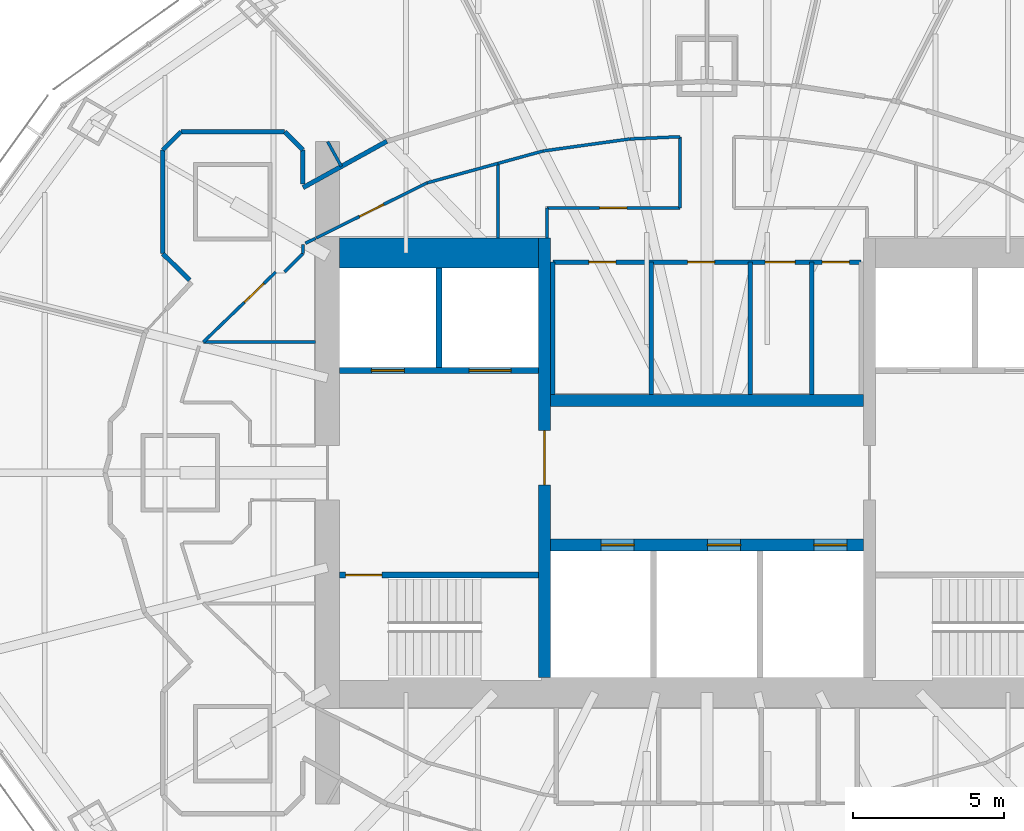
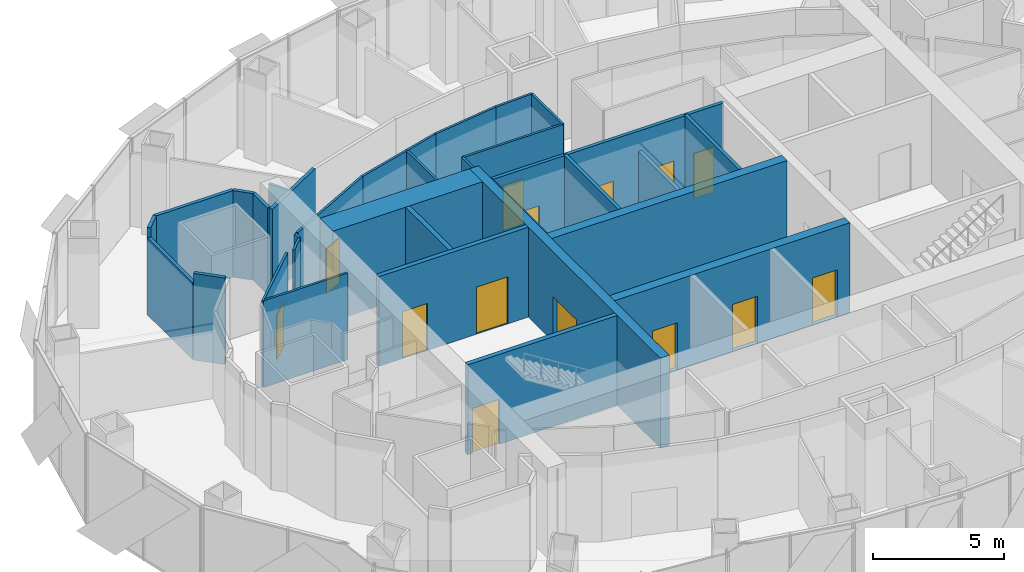
# One storey, part 13 of 19: 34 walls, 14 doors, 14 openings.
"""IFC4 building model written with IfcOpenShell, lengths in metres."""

from ifc_helpers import new_model, si_unit, direction, frame, frame_2d, origin, place, context, subcontext, project, spatial, rectangle, extrude, material, layer, layer_set, type_object, element, fill, save


model = new_model("IFC4")

# Units and contexts
model_context = context("Model", 3, precision=1e-05, world=origin(), true_north=direction((0.0, 1.0)))
body_context = subcontext(model_context, "Body", "Model", "MODEL_VIEW")
ifc_project = project(units=[si_unit("LENGTHUNIT", "METRE"), si_unit("AREAUNIT", "SQUARE_METRE"), si_unit("VOLUMEUNIT", "CUBIC_METRE"), si_unit("PLANEANGLEUNIT", "RADIAN"), si_unit("MASSUNIT", "GRAM", prefix="KILO")], contexts=[model_context])

# Site, building, storey
site_placement = place(None, origin())
site = spatial("IfcSite", under=ifc_project, at=site_placement, CompositionType="ELEMENT")
building_placement = place(site_placement, origin())
building = spatial("IfcBuilding", under=site, at=building_placement, Name="Lantaw Convention Tower", CompositionType="ELEMENT")
storey_placement = place(building_placement, frame((0.0, 0.0, 249.39990234375)))
storey = spatial("IfcBuildingStorey", under=building, at=storey_placement, Name="L58", CompositionType="ELEMENT", Elevation=249.39990234375)

# Wall
ifc_material_1 = material(Name="Concrete C60/75", Category="concrete")
ifc_layer_1 = layer(ifc_material_1, 1.0)
ifc_layer_set_1 = layer_set([ifc_layer_1], Name="Core wall 1000")
wall_type_1 = type_object("IfcWallType", Name="Core wall 1000", PredefinedType="SHEAR", material=ifc_layer_set_1)
wall_1_placement = place(storey_placement, frame((-5.60009765625, 7.300048828125, 0.0), z_axis=(0.0, 0.0, 1.0), x_axis=(-1.0, 0.0, 0.0)))
element("IfcWall", 1, at=wall_1_placement, inside=storey, type_object=wall_type_1, Name="Core wall NW", PredefinedType="SHEAR", context=body_context, shape_type="SweptSolid", body=[
    extrude(rectangle(XDim=6.599853515625, YDim=1.0, at=frame_2d((3.2998046875, 0.0))), origin(), (0.0, 0.0, 1.0), 4.2001953125),
])

# Wall, opening, door
ifc_layer_2 = layer(ifc_material_1, 0.199951171875)
ifc_layer_set_2 = layer_set([ifc_layer_2], Name="Core wall 200")
wall_type_2 = type_object("IfcWallType", Name="Core wall 200", PredefinedType="SHEAR", material=ifc_layer_set_2)
wall_2_placement = place(storey_placement, frame((-5.60009765625, -3.39990234375, 0.0), z_axis=(0.0, 0.0, 1.0), x_axis=(-1.0, 0.0, 0.0)))
wall_2 = element("IfcWall", 2, at=wall_2_placement, inside=storey, type_object=wall_type_2, Name="Core wall WS", PredefinedType="SHEAR", context=body_context, shape_type="SweptSolid", body=[
    extrude(rectangle(XDim=6.599853515625, YDim=0.199951171875, at=frame_2d((3.2998046875, 0.0))), origin(), (0.0, 0.0, 1.0), 4.2001953125),
])
opening_1_placement = place(wall_2_placement, frame((5.199951171875, 0.0, 0.0)))
opening_1 = element("IfcOpeningElement", 3, at=opening_1_placement, cuts=wall_2, Name="Opening L58.04", PredefinedType="OPENING", context=body_context, shape_type="SweptSolid", body=[
    extrude(rectangle(XDim=1.199951171875, YDim=2.10009765625, at=frame_2d((0.60009765625, 1.050048828125))), frame((0.0, 0.10986328125, 0.0), z_axis=(0.0, -1.0, 0.0), x_axis=(1.0, 0.0, 0.0)), (0.0, 0.0, 1.0), 0.219970703125),
])
ifc_material_2 = material(Name="Steel, fire rated", Category="steel")
door_type_1 = type_object("IfcDoorType", Name="Stair door FD90", OperationType="SINGLE_SWING_RIGHT", PredefinedType="DOOR", material=ifc_material_2)
door_1_placement = place(opening_1_placement, origin())
door_1 = element("IfcDoor", 4, at=door_1_placement, inside=storey, type_object=door_type_1, Name="Exit stair door", OperationType="SINGLE_SWING_RIGHT", OverallHeight=2.10009765625, OverallWidth=1.199951171875, PredefinedType="DOOR", context=body_context, shape_type="SweptSolid", body=[
    extrude(rectangle(XDim=1.199951171875, YDim=2.10009765625, at=frame_2d((0.60009765625, 1.050048828125))), frame((0.0, 0.02490234375, 0.0), z_axis=(0.0, -1.0, 0.0), x_axis=(1.0, 0.0, 0.0)), (0.0, 0.0, 1.0), 0.050048828125),
])
fill(opening_1, door_1)

ifc_layer_3 = layer(ifc_material_1, 0.39990234375)
ifc_layer_set_3 = layer_set([ifc_layer_3], Name="Core wall 400")
wall_type_3 = type_object("IfcWallType", Name="Core wall 400", PredefinedType="SHEAR", material=ifc_layer_set_3)
wall_3_placement = place(storey_placement, frame((-5.39990234375, 7.800048828125, 0.0), z_axis=(0.0, 0.0, 1.0), x_axis=(0.0, -1.0, 0.0)))
wall_3 = element("IfcWall", 5, at=wall_3_placement, inside=storey, type_object=wall_type_3, Name="Core wall XW", PredefinedType="SHEAR", context=body_context, shape_type="SweptSolid", body=[
    extrude(rectangle(XDim=14.60009765625, YDim=0.39990234375, at=frame_2d((7.300048828125, 0.0))), origin(), (0.0, 0.0, 1.0), 4.2001953125),
])
opening_2_placement = place(wall_3_placement, frame((6.39990234375, 0.0, 0.0)))
opening_2 = element("IfcOpeningElement", 6, at=opening_2_placement, cuts=wall_3, Name="Opening L58.02", PredefinedType="OPENING", context=body_context, shape_type="SweptSolid", body=[
    extrude(rectangle(XDim=1.800048828125, YDim=2.10009765625, at=frame_2d((0.89990234375, 1.050048828125))), frame((0.0, 0.2099609375, 0.0), z_axis=(0.0, -1.0, 0.0), x_axis=(1.0, 0.0, 0.0)), (0.0, 0.0, 1.0), 0.419921875),
])
door_type_2 = type_object("IfcDoorType", Name="Lobby double door FD90", OperationType="DOUBLE_DOOR_DOUBLE_SWING", PredefinedType="DOOR", material=ifc_material_2)
door_2_placement = place(opening_2_placement, origin())
door_2 = element("IfcDoor", 7, at=door_2_placement, inside=storey, type_object=door_type_2, Name="Lift lobby door", OperationType="DOUBLE_DOOR_DOUBLE_SWING", OverallHeight=2.10009765625, OverallWidth=1.800048828125, PredefinedType="DOOR", context=body_context, shape_type="SweptSolid", body=[
    extrude(rectangle(XDim=1.800048828125, YDim=2.10009765625, at=frame_2d((0.89990234375, 1.050048828125))), frame((0.0, 0.02490234375, 0.0), z_axis=(0.0, -1.0, 0.0), x_axis=(1.0, 0.0, 0.0)), (0.0, 0.0, 1.0), 0.050048828125),
])
fill(opening_2, door_2)

# Wall, openings, doors
wall_4_placement = place(storey_placement, frame((-5.199951171875, -2.39990234375, 0.0), z_axis=(0.0, 0.0, 1.0), x_axis=(1.0, 0.0, 0.0)))
wall_4 = element("IfcWall", 8, at=wall_4_placement, inside=storey, type_object=wall_type_3, Name="Core wall BS", PredefinedType="SHEAR", context=body_context, shape_type="SweptSolid", body=[
    extrude(rectangle(XDim=10.39990234375, YDim=0.39990234375, at=frame_2d((5.199951171875, 0.0))), origin(), (0.0, 0.0, 1.0), 4.2001953125),
])
opening_3_placement = place(wall_4_placement, frame((1.683349609375, 0.0, 0.0)))
opening_3 = element("IfcOpeningElement", 9, at=opening_3_placement, cuts=wall_4, Name="Opening L58.07", PredefinedType="OPENING", context=body_context, shape_type="SweptSolid", body=[
    extrude(rectangle(XDim=1.10009765625, YDim=2.199951171875, at=frame_2d((0.550048828125, 1.10009765625))), frame((0.0, 0.2099609375, 0.0), z_axis=(0.0, -1.0, 0.0), x_axis=(1.0, 0.0, 0.0)), (0.0, 0.0, 1.0), 0.419921875),
])
opening_4_placement = place(wall_4_placement, frame((5.216796875, 0.0, 0.0)))
opening_4 = element("IfcOpeningElement", 10, at=opening_4_placement, cuts=wall_4, Name="Opening L58.08", PredefinedType="OPENING", context=body_context, shape_type="SweptSolid", body=[
    extrude(rectangle(XDim=1.10009765625, YDim=2.199951171875, at=frame_2d((0.550048828125, 1.10009765625))), frame((0.0, 0.2099609375, 0.0), z_axis=(0.0, -1.0, 0.0), x_axis=(1.0, 0.0, 0.0)), (0.0, 0.0, 1.0), 0.419921875),
])
opening_5_placement = place(wall_4_placement, frame((8.75, 0.0, 0.0)))
opening_5 = element("IfcOpeningElement", 11, at=opening_5_placement, cuts=wall_4, Name="Opening L58.09", PredefinedType="OPENING", context=body_context, shape_type="SweptSolid", body=[
    extrude(rectangle(XDim=1.10009765625, YDim=2.199951171875, at=frame_2d((0.550048828125, 1.10009765625))), frame((0.0, 0.2099609375, 0.0), z_axis=(0.0, -1.0, 0.0), x_axis=(1.0, 0.0, 0.0)), (0.0, 0.0, 1.0), 0.419921875),
])
ifc_material_3 = material(Name="Stainless steel", Category="steel")
door_type_3 = type_object("IfcDoorType", Name="Lift landing door 1100", OperationType="DOUBLE_DOOR_SLIDING", PredefinedType="DOOR", material=ifc_material_3)
door_3_placement = place(opening_3_placement, origin())
door_3 = element("IfcDoor", 12, at=door_3_placement, inside=storey, type_object=door_type_3, Name="Lift landing door S1", OperationType="DOUBLE_DOOR_SLIDING", OverallHeight=2.199951171875, OverallWidth=1.10009765625, PredefinedType="DOOR", context=body_context, shape_type="SweptSolid", body=[
    extrude(rectangle(XDim=1.10009765625, YDim=2.199951171875, at=frame_2d((0.550048828125, 1.10009765625))), frame((0.0, 0.02490234375, 0.0), z_axis=(0.0, -1.0, 0.0), x_axis=(1.0, 0.0, 0.0)), (0.0, 0.0, 1.0), 0.050048828125),
])
fill(opening_3, door_3)
door_4_placement = place(opening_4_placement, origin())
door_4 = element("IfcDoor", 13, at=door_4_placement, inside=storey, type_object=door_type_3, Name="Lift landing door S2", OperationType="DOUBLE_DOOR_SLIDING", OverallHeight=2.199951171875, OverallWidth=1.10009765625, PredefinedType="DOOR", context=body_context, shape_type="SweptSolid", body=[
    extrude(rectangle(XDim=1.10009765625, YDim=2.199951171875, at=frame_2d((0.550048828125, 1.10009765625))), frame((0.0, 0.02490234375, 0.0), z_axis=(0.0, -1.0, 0.0), x_axis=(1.0, 0.0, 0.0)), (0.0, 0.0, 1.0), 0.050048828125),
])
fill(opening_4, door_4)
door_5_placement = place(opening_5_placement, origin())
door_5 = element("IfcDoor", 14, at=door_5_placement, inside=storey, type_object=door_type_3, Name="Lift landing door S3", OperationType="DOUBLE_DOOR_SLIDING", OverallHeight=2.199951171875, OverallWidth=1.10009765625, PredefinedType="DOOR", context=body_context, shape_type="SweptSolid", body=[
    extrude(rectangle(XDim=1.10009765625, YDim=2.199951171875, at=frame_2d((0.550048828125, 1.10009765625))), frame((0.0, 0.02490234375, 0.0), z_axis=(0.0, -1.0, 0.0), x_axis=(1.0, 0.0, 0.0)), (0.0, 0.0, 1.0), 0.050048828125),
])
fill(opening_5, door_5)

# Walls
wall_5_placement = place(storey_placement, frame((5.199951171875, 2.39990234375, 0.0), z_axis=(0.0, 0.0, 1.0), x_axis=(-1.0, 0.0, 0.0)))
element("IfcWall", 15, at=wall_5_placement, inside=storey, type_object=wall_type_3, Name="Core wall BN", PredefinedType="SHEAR", context=body_context, shape_type="SweptSolid", body=[
    extrude(rectangle(XDim=10.39990234375, YDim=0.39990234375, at=frame_2d((5.199951171875, 0.0))), origin(), (0.0, 0.0, 1.0), 4.2001953125),
])
ifc_material_4 = material(Name="Gypsum board on steel studs, fire rated", Category="steel")
ifc_layer_4 = layer(ifc_material_4, 0.14990234375)
ifc_layer_set_4 = layer_set([ifc_layer_4], Name="Corridor wall 150 EI 60")
wall_type_4 = type_object("IfcWallType", Name="Corridor wall 150 EI 60", PredefinedType="PARTITIONING", material=ifc_layer_set_4)
wall_6_placement = place(storey_placement, frame((-10.6328125, 11.010498046875, 0.0), z_axis=(0.0, 0.0, 1.0), x_axis=(-0.875072100837, -0.483992580869, 0.0)))
element("IfcWall", 16, at=wall_6_placement, inside=storey, type_object=wall_type_4, Name="Corridor wall 150", PredefinedType="PARTITIONING", context=body_context, shape_type="SweptSolid", body=[
    extrude(rectangle(XDim=3.179443359375, YDim=0.14990234375, at=frame_2d((1.58984375, 0.0))), origin(), (0.0, 0.0, 1.0), 4.050048828125),
])
wall_7_placement = place(storey_placement, frame((-17.1865234375, 6.40380859375, 0.0), z_axis=(0.0, 0.0, 1.0), x_axis=(-0.713842064016, 0.700306723973, 0.0)))
element("IfcWall", 17, at=wall_7_placement, inside=storey, type_object=wall_type_4, Name="Corridor wall 150", PredefinedType="PARTITIONING", context=body_context, shape_type="SweptSolid", body=[
    extrude(rectangle(XDim=1.24462890625, YDim=0.14990234375, at=frame_2d((0.622314453125, 0.0))), origin(), (0.0, 0.0, 1.0), 4.050048828125),
])
wall_8_placement = place(storey_placement, frame((-18.074951171875, 7.275390625, 0.0), z_axis=(0.0, 0.0, 1.0), x_axis=(0.0, 1.0, 0.0)))
element("IfcWall", 18, at=wall_8_placement, inside=storey, type_object=wall_type_4, Name="Corridor wall 150", PredefinedType="PARTITIONING", context=body_context, shape_type="SweptSolid", body=[
    extrude(rectangle(XDim=3.44921875, YDim=0.14990234375, at=frame_2d((1.724609375, 0.0))), origin(), (0.0, 0.0, 1.0), 3.6005859375),
])
wall_9_placement = place(storey_placement, frame((-18.074951171875, 10.724609375, 0.0), z_axis=(0.0, 0.0, 1.0), x_axis=(0.707106781187, 0.707106781187, 0.0)))
element("IfcWall", 19, at=wall_9_placement, inside=storey, type_object=wall_type_4, Name="Corridor wall 150", PredefinedType="PARTITIONING", context=body_context, shape_type="SweptSolid", body=[
    extrude(rectangle(XDim=0.84912109375, YDim=0.14990234375, at=frame_2d((0.424560546875, 0.0))), origin(), (0.0, 0.0, 1.0), 4.050048828125),
])
wall_10_placement = place(storey_placement, frame((-17.474609375, 11.324951171875, 0.0), z_axis=(0.0, 0.0, 1.0), x_axis=(1.0, 0.0, 0.0)))
element("IfcWall", 20, at=wall_10_placement, inside=storey, type_object=wall_type_4, Name="Corridor wall 150", PredefinedType="PARTITIONING", context=body_context, shape_type="SweptSolid", body=[
    extrude(rectangle(XDim=3.44921875, YDim=0.14990234375, at=frame_2d((1.724609375, 0.0))), origin(), (0.0, 0.0, 1.0), 4.050048828125),
])
wall_11_placement = place(storey_placement, frame((-14.025390625, 11.324951171875, 0.0), z_axis=(0.0, 0.0, 1.0), x_axis=(0.707106781187, -0.707106781187, 0.0)))
element("IfcWall", 21, at=wall_11_placement, inside=storey, type_object=wall_type_4, Name="Corridor wall 150", PredefinedType="PARTITIONING", context=body_context, shape_type="SweptSolid", body=[
    extrude(rectangle(XDim=0.84912109375, YDim=0.14990234375, at=frame_2d((0.424560546875, 0.0))), origin(), (0.0, 0.0, 1.0), 4.050048828125),
])
wall_12_placement = place(storey_placement, frame((-13.425048828125, 10.724609375, 0.0), z_axis=(0.0, 0.0, 1.0), x_axis=(0.0, -1.0, 0.0)))
element("IfcWall", 22, at=wall_12_placement, inside=storey, type_object=wall_type_4, Name="Corridor wall 150", PredefinedType="PARTITIONING", context=body_context, shape_type="SweptSolid", body=[
    extrude(rectangle(XDim=1.138427734375, YDim=0.14990234375, at=frame_2d((0.5693359375, 0.0))), origin(), (0.0, 0.0, 1.0), 4.050048828125),
])
ifc_material_5 = material(Name="Gypsum board on steel studs, acoustic", Category="steel")
ifc_layer_5 = layer(ifc_material_5, 0.10009765625)
ifc_layer_set_5 = layer_set([ifc_layer_5], Name="Office partition 100")
wall_type_5 = type_object("IfcWallType", Name="Office partition 100", PredefinedType="PARTITIONING", material=ifc_layer_set_5)
wall_13_placement = place(storey_placement, frame((-9.2978515625, 9.628173828125, 0.0), z_axis=(0.0, 0.0, 1.0), x_axis=(0.964255150805, 0.264975478385, 0.0)))
element("IfcWall", 23, at=wall_13_placement, inside=storey, type_object=wall_type_5, Name="Office partition 100", PredefinedType="PARTITIONING", context=body_context, shape_type="SweptSolid", body=[
    extrude(rectangle(XDim=2.4453125, YDim=0.10009765625, at=frame_2d((1.22265625, 0.0))), origin(), (0.0, 0.0, 1.0), 4.050048828125),
])
wall_14_placement = place(storey_placement, frame((-6.93994140625, 10.276123046875, 0.0), z_axis=(0.0, 0.0, 1.0), x_axis=(0.0, -1.0, 0.0)))
element("IfcWall", 24, at=wall_14_placement, inside=storey, type_object=wall_type_5, Name="Office partition 100", PredefinedType="PARTITIONING", context=body_context, shape_type="SweptSolid", body=[
    extrude(rectangle(XDim=2.47607421875, YDim=0.10009765625, at=frame_2d((1.238037109375, 0.0))), origin(), (0.0, 0.0, 1.0), 4.050048828125),
])

# Wall, opening, door
wall_15_placement = place(storey_placement, frame((-12.976806640625, 7.800048828125, 0.0), z_axis=(0.0, 0.0, 1.0), x_axis=(0.895529831139, 0.445001484874, 0.0)))
wall_15 = element("IfcWall", 25, at=wall_15_placement, inside=storey, type_object=wall_type_5, Name="Office partition 100", PredefinedType="PARTITIONING", context=body_context, shape_type="SweptSolid", body=[
    extrude(rectangle(XDim=4.108154296875, YDim=0.10009765625, at=frame_2d((2.05419921875, 0.0))), origin(), (0.0, 0.0, 1.0), 4.050048828125),
])
opening_6_placement = place(wall_15_placement, frame((1.60400390625, 0.0, 0.0)))
opening_6 = element("IfcOpeningElement", 26, at=opening_6_placement, cuts=wall_15, Name="Opening L58.32", PredefinedType="OPENING", context=body_context, shape_type="SweptSolid", body=[
    extrude(rectangle(XDim=0.89990234375, YDim=2.10009765625, at=frame_2d((0.449951171875, 1.050048828125))), frame((0.0, 0.06005859375, 0.0), z_axis=(0.0, -1.0, 0.0), x_axis=(1.0, 0.0, 0.0)), (0.0, 0.0, 1.0), 0.1201171875),
])
ifc_material_6 = material(Name="Timber", Category="wood")
door_type_4 = type_object("IfcDoorType", Name="Office door 900", OperationType="SINGLE_SWING_LEFT", PredefinedType="DOOR", material=ifc_material_6)
door_6_placement = place(opening_6_placement, origin())
door_6 = element("IfcDoor", 27, at=door_6_placement, inside=storey, type_object=door_type_4, Name="Tenant storage room door", OperationType="SINGLE_SWING_LEFT", OverallHeight=2.10009765625, OverallWidth=0.89990234375, PredefinedType="DOOR", context=body_context, shape_type="SweptSolid", body=[
    extrude(rectangle(XDim=0.89990234375, YDim=2.10009765625, at=frame_2d((0.449951171875, 1.050048828125))), frame((0.0, 0.02490234375, 0.0), z_axis=(0.0, -1.0, 0.0), x_axis=(1.0, 0.0, 0.0)), (0.0, 0.0, 1.0), 0.050048828125),
])
fill(opening_6, door_6)

# Walls
wall_16_placement = place(storey_placement, frame((-5.4453125, 10.68701171875, 0.0), z_axis=(0.0, 0.0, 1.0), x_axis=(0.99045099049, 0.137865280027, 0.0)))
element("IfcWall", 28, at=wall_16_placement, inside=storey, type_object=wall_type_5, Name="Office partition 100", PredefinedType="PARTITIONING", context=body_context, shape_type="SweptSolid", body=[
    extrude(rectangle(XDim=2.9130859375, YDim=0.10009765625, at=frame_2d((1.45654296875, 0.0))), origin(), (0.0, 0.0, 1.0), 4.050048828125),
])
wall_17_placement = place(storey_placement, frame((-2.56005859375, 11.088623046875, 0.0), z_axis=(0.0, 0.0, 1.0), x_axis=(0.999053939397, 0.043488230303, 0.0)))
element("IfcWall", 29, at=wall_17_placement, inside=storey, type_object=wall_type_5, Name="Office partition 100", PredefinedType="PARTITIONING", context=body_context, shape_type="SweptSolid", body=[
    extrude(rectangle(XDim=1.66162109375, YDim=0.10009765625, at=frame_2d((0.830810546875, 0.0))), origin(), (0.0, 0.0, 1.0), 4.050048828125),
])
wall_18_placement = place(storey_placement, frame((-0.89990234375, 11.160888671875, 0.0), z_axis=(0.0, 0.0, 1.0), x_axis=(0.0, -1.0, 0.0)))
element("IfcWall", 30, at=wall_18_placement, inside=storey, type_object=wall_type_5, Name="Office partition 100", PredefinedType="PARTITIONING", context=body_context, shape_type="SweptSolid", body=[
    extrude(rectangle(XDim=2.36083984375, YDim=0.10009765625, at=frame_2d((1.180419921875, 0.0))), origin(), (0.0, 0.0, 1.0), 4.050048828125),
])

# Wall, opening, door
wall_19_placement = place(storey_placement, frame((-0.89990234375, 8.800048828125, 0.0), z_axis=(0.0, 0.0, 1.0), x_axis=(-1.0, 0.0, 0.0)))
wall_19 = element("IfcWall", 31, at=wall_19_placement, inside=storey, type_object=wall_type_5, Name="Office partition 100", PredefinedType="PARTITIONING", context=body_context, shape_type="SweptSolid", body=[
    extrude(rectangle(XDim=4.420166015625, YDim=0.10009765625, at=frame_2d((2.2099609375, 0.0))), origin(), (0.0, 0.0, 1.0), 4.050048828125),
])
opening_7_placement = place(wall_19_placement, frame((1.760009765625, 0.0, 0.0)))
opening_7 = element("IfcOpeningElement", 32, at=opening_7_placement, cuts=wall_19, Name="Opening L58.33", PredefinedType="OPENING", context=body_context, shape_type="SweptSolid", body=[
    extrude(rectangle(XDim=0.89990234375, YDim=2.10009765625, at=frame_2d((0.449951171875, 1.050048828125))), frame((0.0, 0.06005859375, 0.0), z_axis=(0.0, -1.0, 0.0), x_axis=(1.0, 0.0, 0.0)), (0.0, 0.0, 1.0), 0.1201171875),
])
door_7_placement = place(opening_7_placement, origin())
door_7 = element("IfcDoor", 33, at=door_7_placement, inside=storey, type_object=door_type_4, Name="Meeting room door", OperationType="SINGLE_SWING_LEFT", OverallHeight=2.10009765625, OverallWidth=0.89990234375, PredefinedType="DOOR", context=body_context, shape_type="SweptSolid", body=[
    extrude(rectangle(XDim=0.89990234375, YDim=2.10009765625, at=frame_2d((0.449951171875, 1.050048828125))), frame((0.0, 0.02490234375, 0.0), z_axis=(0.0, -1.0, 0.0), x_axis=(1.0, 0.0, 0.0)), (0.0, 0.0, 1.0), 0.050048828125),
])
fill(opening_7, door_7)

# Walls
wall_20_placement = place(storey_placement, frame((-5.320068359375, 8.800048828125, 0.0), z_axis=(0.0, 0.0, 1.0), x_axis=(0.0, -1.0, 0.0)))
element("IfcWall", 34, at=wall_20_placement, inside=storey, type_object=wall_type_5, Name="Office partition 100", PredefinedType="PARTITIONING", context=body_context, shape_type="SweptSolid", body=[
    extrude(rectangle(XDim=1.0, YDim=0.10009765625, at=frame_2d((0.5, 0.0))), origin(), (0.0, 0.0, 1.0), 4.050048828125),
])
wall_21_placement = place(storey_placement, frame((-6.93994140625, 10.276123046875, 0.0), z_axis=(0.0, 0.0, 1.0), x_axis=(0.964227536736, 0.265075946476, 0.0)))
element("IfcWall", 35, at=wall_21_placement, inside=storey, type_object=wall_type_5, Name="Office partition 100", PredefinedType="PARTITIONING", context=body_context, shape_type="SweptSolid", body=[
    extrude(rectangle(XDim=1.550048828125, YDim=0.10009765625, at=frame_2d((0.77490234375, 0.0))), origin(), (0.0, 0.0, 1.0), 4.050048828125),
])
wall_22_placement = place(storey_placement, frame((-16.729248046875, 4.340087890625, 0.0), z_axis=(0.0, 0.0, 1.0), x_axis=(1.0, 0.0, 0.0)))
element("IfcWall", 36, at=wall_22_placement, inside=storey, type_object=wall_type_5, Name="Office partition 100", PredefinedType="PARTITIONING", context=body_context, shape_type="SweptSolid", body=[
    extrude(rectangle(XDim=3.729248046875, YDim=0.10009765625, at=frame_2d((1.86474609375, 0.0))), origin(), (0.0, 0.0, 1.0), 4.050048828125),
])
wall_23_placement = place(storey_placement, frame((-13.3369140625, 7.62109375, 0.0), z_axis=(0.0, 0.0, 1.0), x_axis=(0.895721570004, 0.444615416995, 0.0)))
element("IfcWall", 37, at=wall_23_placement, inside=storey, type_object=wall_type_5, Name="Office partition 100", PredefinedType="PARTITIONING", context=body_context, shape_type="SweptSolid", body=[
    extrude(rectangle(XDim=0.376220703125, YDim=0.10009765625, at=frame_2d((0.18798828125, 0.0))), origin(), (0.0, 0.0, 1.0), 4.050048828125),
])
wall_24_placement = place(storey_placement, frame((-12.60009765625, 11.0, 0.0), z_axis=(0.0, 0.0, 1.0), x_axis=(0.484103558985, -0.875010710893, 0.0)))
element("IfcWall", 38, at=wall_24_placement, inside=storey, type_object=wall_type_5, Name="Office partition 100", PredefinedType="PARTITIONING", context=body_context, shape_type="SweptSolid", body=[
    extrude(rectangle(XDim=0.943115234375, YDim=0.10009765625, at=frame_2d((0.4716796875, 0.0))), origin(), (0.0, 0.0, 1.0), 4.050048828125),
])

# Wall, opening, door
wall_25_placement = place(storey_placement, frame((-16.729248046875, 4.340087890625, 0.0), z_axis=(0.0, 0.0, 1.0), x_axis=(0.718798647558, 0.695218314107, 0.0)))
wall_25 = element("IfcWall", 39, at=wall_25_placement, inside=storey, type_object=wall_type_5, Name="Office partition 100", PredefinedType="PARTITIONING", context=body_context, shape_type="SweptSolid", body=[
    extrude(rectangle(XDim=3.34423828125, YDim=0.10009765625, at=frame_2d((1.672119140625, 0.0))), origin(), (0.0, 0.0, 1.0), 4.050048828125),
])
opening_8_placement = place(wall_25_placement, frame((1.89990234375, 0.0, 0.0)))
opening_8 = element("IfcOpeningElement", 40, at=opening_8_placement, cuts=wall_25, Name="Opening L58.35", PredefinedType="OPENING", context=body_context, shape_type="SweptSolid", body=[
    extrude(rectangle(XDim=0.89990234375, YDim=2.10009765625, at=frame_2d((0.449951171875, 1.050048828125))), frame((0.0, 0.06005859375, 0.0), z_axis=(0.0, -1.0, 0.0), x_axis=(1.0, 0.0, 0.0)), (0.0, 0.0, 1.0), 0.1201171875),
])
door_8_placement = place(opening_8_placement, origin())
door_8 = element("IfcDoor", 41, at=door_8_placement, inside=storey, type_object=door_type_4, Name="Project room door", OperationType="SINGLE_SWING_LEFT", OverallHeight=2.10009765625, OverallWidth=0.89990234375, PredefinedType="DOOR", context=body_context, shape_type="SweptSolid", body=[
    extrude(rectangle(XDim=0.89990234375, YDim=2.10009765625, at=frame_2d((0.449951171875, 1.050048828125))), frame((0.0, 0.02490234375, 0.0), z_axis=(0.0, -1.0, 0.0), x_axis=(1.0, 0.0, 0.0)), (0.0, 0.0, 1.0), 0.050048828125),
])
fill(opening_8, door_8)

# Walls
wall_26_placement = place(storey_placement, frame((-13.425048828125, 7.57763671875, 0.0), z_axis=(0.0, 0.0, 1.0), x_axis=(0.0, -1.0, 0.0)))
element("IfcWall", 42, at=wall_26_placement, inside=storey, type_object=wall_type_5, Name="Office partition 100", PredefinedType="PARTITIONING", context=body_context, shape_type="SweptSolid", body=[
    extrude(rectangle(XDim=0.30224609375, YDim=0.10009765625, at=frame_2d((0.151123046875, 0.0))), origin(), (0.0, 0.0, 1.0), 4.050048828125),
])
wall_27_placement = place(storey_placement, frame((-13.425048828125, 7.275390625, 0.0), z_axis=(0.0, 0.0, 1.0), x_axis=(-0.707106781187, -0.707106781187, 0.0)))
element("IfcWall", 43, at=wall_27_placement, inside=storey, type_object=wall_type_5, Name="Office partition 100", PredefinedType="PARTITIONING", context=body_context, shape_type="SweptSolid", body=[
    extrude(rectangle(XDim=0.84912109375, YDim=0.10009765625, at=frame_2d((0.424560546875, 0.0))), origin(), (0.0, 0.0, 1.0), 4.050048828125),
])

# Wall, openings, doors
ifc_material_7 = material(Name="Concrete blockwork, fire rated", Category="masonry")
ifc_layer_6 = layer(ifc_material_7, 0.199951171875)
ifc_layer_set_6 = layer_set([ifc_layer_6], Name="Shaft wall 200")
wall_type_6 = type_object("IfcWallType", Name="Shaft wall 200", PredefinedType="SOLIDWALL", material=ifc_layer_set_6)
wall_28_placement = place(storey_placement, frame((-12.199951171875, 3.39990234375, 0.0), z_axis=(0.0, 0.0, 1.0), x_axis=(1.0, 0.0, 0.0)))
wall_28 = element("IfcWall", 44, at=wall_28_placement, inside=storey, type_object=wall_type_6, Name="Shaft wall WN", PredefinedType="SOLIDWALL", context=body_context, shape_type="SweptSolid", body=[
    extrude(rectangle(XDim=6.599853515625, YDim=0.199951171875, at=frame_2d((3.2998046875, 0.0))), origin(), (0.0, 0.0, 1.0), 4.2001953125),
])
opening_9_placement = place(wall_28_placement, frame((1.050048828125, 0.0, 0.0)))
opening_9 = element("IfcOpeningElement", 45, at=opening_9_placement, cuts=wall_28, Name="Opening L58.10", PredefinedType="OPENING", context=body_context, shape_type="SweptSolid", body=[
    extrude(rectangle(XDim=1.10009765625, YDim=2.199951171875, at=frame_2d((0.550048828125, 1.10009765625))), frame((0.0, 0.10986328125, 0.0), z_axis=(0.0, -1.0, 0.0), x_axis=(1.0, 0.0, 0.0)), (0.0, 0.0, 1.0), 0.219970703125),
])
opening_10_placement = place(wall_28_placement, frame((4.300048828125, 0.0, 0.0)))
opening_10 = element("IfcOpeningElement", 46, at=opening_10_placement, cuts=wall_28, Name="Opening L58.11", PredefinedType="OPENING", context=body_context, shape_type="SweptSolid", body=[
    extrude(rectangle(XDim=1.39990234375, YDim=2.199951171875, at=frame_2d((0.699951171875, 1.10009765625))), frame((0.0, 0.10986328125, 0.0), z_axis=(0.0, -1.0, 0.0), x_axis=(1.0, 0.0, 0.0)), (0.0, 0.0, 1.0), 0.219970703125),
])
door_9_placement = place(opening_9_placement, origin())
door_9 = element("IfcDoor", 47, at=door_9_placement, inside=storey, type_object=door_type_3, Name="Lift landing door FF1", OperationType="DOUBLE_DOOR_SLIDING", OverallHeight=2.199951171875, OverallWidth=1.10009765625, PredefinedType="DOOR", context=body_context, shape_type="SweptSolid", body=[
    extrude(rectangle(XDim=1.10009765625, YDim=2.199951171875, at=frame_2d((0.550048828125, 1.10009765625))), frame((0.0, 0.02490234375, 0.0), z_axis=(0.0, -1.0, 0.0), x_axis=(1.0, 0.0, 0.0)), (0.0, 0.0, 1.0), 0.050048828125),
])
fill(opening_9, door_9)
door_type_5 = type_object("IfcDoorType", Name="Lift landing door 1400", OperationType="DOUBLE_DOOR_SLIDING", PredefinedType="DOOR", material=ifc_material_3)
door_10_placement = place(opening_10_placement, origin())
door_10 = element("IfcDoor", 48, at=door_10_placement, inside=storey, type_object=door_type_5, Name="Lift landing door SV1", OperationType="DOUBLE_DOOR_SLIDING", OverallHeight=2.199951171875, OverallWidth=1.39990234375, PredefinedType="DOOR", context=body_context, shape_type="SweptSolid", body=[
    extrude(rectangle(XDim=1.39990234375, YDim=2.199951171875, at=frame_2d((0.699951171875, 1.10009765625))), frame((0.0, 0.02490234375, 0.0), z_axis=(0.0, -1.0, 0.0), x_axis=(1.0, 0.0, 0.0)), (0.0, 0.0, 1.0), 0.050048828125),
])
fill(opening_10, door_10)

# Wall
wall_29_placement = place(storey_placement, frame((-8.89990234375, 3.5, 0.0), z_axis=(0.0, 0.0, 1.0), x_axis=(0.0, 1.0, 0.0)))
element("IfcWall", 49, at=wall_29_placement, inside=storey, type_object=wall_type_6, Name="Shaft wall WD", PredefinedType="SOLIDWALL", context=body_context, shape_type="SweptSolid", body=[
    extrude(rectangle(XDim=3.300048828125, YDim=0.199951171875, at=frame_2d((1.64990234375, 0.0))), origin(), (0.0, 0.0, 1.0), 4.2001953125),
])

# Wall, openings, doors
ifc_material_8 = material(Name="Concrete blockwork", Category="masonry")
ifc_layer_7 = layer(ifc_material_8, 0.14990234375)
ifc_layer_set_7 = layer_set([ifc_layer_7], Name="WC wall 150")
wall_type_7 = type_object("IfcWallType", Name="WC wall 150", PredefinedType="SOLIDWALL", material=ifc_layer_set_7)
wall_30_placement = place(storey_placement, frame((-5.1201171875, 7.0, 0.0), z_axis=(0.0, 0.0, 1.0), x_axis=(1.0, 0.0, 0.0)))
wall_30 = element("IfcWall", 50, at=wall_30_placement, inside=storey, type_object=wall_type_7, Name="WC wall 150", PredefinedType="SOLIDWALL", context=body_context, shape_type="SweptSolid", body=[
    extrude(rectangle(XDim=10.240234375, YDim=0.14990234375, at=frame_2d((5.1201171875, 0.0))), origin(), (0.0, 0.0, 1.0), 4.050048828125),
])
opening_11_placement = place(wall_30_placement, frame((1.199951171875, 0.0, 0.0)))
opening_11 = element("IfcOpeningElement", 51, at=opening_11_placement, cuts=wall_30, Name="Opening L58.14", PredefinedType="OPENING", context=body_context, shape_type="SweptSolid", body=[
    extrude(rectangle(XDim=0.89990234375, YDim=2.10009765625, at=frame_2d((0.449951171875, 1.050048828125))), frame((0.0, 0.0849609375, 0.0), z_axis=(0.0, -1.0, 0.0), x_axis=(1.0, 0.0, 0.0)), (0.0, 0.0, 1.0), 0.169921875),
])
opening_12_placement = place(wall_30_placement, frame((4.476806640625, 0.0, 0.0)))
opening_12 = element("IfcOpeningElement", 52, at=opening_12_placement, cuts=wall_30, Name="Opening L58.15", PredefinedType="OPENING", context=body_context, shape_type="SweptSolid", body=[
    extrude(rectangle(XDim=0.89990234375, YDim=2.10009765625, at=frame_2d((0.449951171875, 1.050048828125))), frame((0.0, 0.0849609375, 0.0), z_axis=(0.0, -1.0, 0.0), x_axis=(1.0, 0.0, 0.0)), (0.0, 0.0, 1.0), 0.169921875),
])
opening_13_placement = place(wall_30_placement, frame((7.0537109375, 0.0, 0.0)))
opening_13 = element("IfcOpeningElement", 53, at=opening_13_placement, cuts=wall_30, Name="Opening L58.16", PredefinedType="OPENING", context=body_context, shape_type="SweptSolid", body=[
    extrude(rectangle(XDim=1.0, YDim=2.10009765625, at=frame_2d((0.5, 1.050048828125))), frame((0.0, 0.0849609375, 0.0), z_axis=(0.0, -1.0, 0.0), x_axis=(1.0, 0.0, 0.0)), (0.0, 0.0, 1.0), 0.169921875),
])
opening_14_placement = place(wall_30_placement, frame((8.95166015625, 0.0, 0.0)))
opening_14 = element("IfcOpeningElement", 54, at=opening_14_placement, cuts=wall_30, Name="Opening L58.17", PredefinedType="OPENING", context=body_context, shape_type="SweptSolid", body=[
    extrude(rectangle(XDim=0.89990234375, YDim=2.10009765625, at=frame_2d((0.449951171875, 1.050048828125))), frame((0.0, 0.0849609375, 0.0), z_axis=(0.0, -1.0, 0.0), x_axis=(1.0, 0.0, 0.0)), (0.0, 0.0, 1.0), 0.169921875),
])
door_type_6 = type_object("IfcDoorType", Name="Accessible WC door 1000", OperationType="SINGLE_SWING_LEFT", PredefinedType="DOOR", material=ifc_material_6)
door_11_placement = place(opening_13_placement, origin())
door_11 = element("IfcDoor", 55, at=door_11_placement, inside=storey, type_object=door_type_6, Name="Accessible WC door", OperationType="SINGLE_SWING_LEFT", OverallHeight=2.10009765625, OverallWidth=1.0, PredefinedType="DOOR", context=body_context, shape_type="SweptSolid", body=[
    extrude(rectangle(XDim=1.0, YDim=2.10009765625, at=frame_2d((0.5, 1.050048828125))), frame((0.0, 0.02490234375, 0.0), z_axis=(0.0, -1.0, 0.0), x_axis=(1.0, 0.0, 0.0)), (0.0, 0.0, 1.0), 0.050048828125),
])
fill(opening_13, door_11)
door_type_7 = type_object("IfcDoorType", Name="WC door 900", OperationType="SINGLE_SWING_LEFT", PredefinedType="DOOR", material=ifc_material_6)
door_12_placement = place(opening_11_placement, origin())
door_12 = element("IfcDoor", 56, at=door_12_placement, inside=storey, type_object=door_type_7, Name="Female WC door", OperationType="SINGLE_SWING_LEFT", OverallHeight=2.10009765625, OverallWidth=0.89990234375, PredefinedType="DOOR", context=body_context, shape_type="SweptSolid", body=[
    extrude(rectangle(XDim=0.89990234375, YDim=2.10009765625, at=frame_2d((0.449951171875, 1.050048828125))), frame((0.0, 0.02490234375, 0.0), z_axis=(0.0, -1.0, 0.0), x_axis=(1.0, 0.0, 0.0)), (0.0, 0.0, 1.0), 0.050048828125),
])
fill(opening_11, door_12)
door_13_placement = place(opening_12_placement, origin())
door_13 = element("IfcDoor", 57, at=door_13_placement, inside=storey, type_object=door_type_7, Name="Male WC door", OperationType="SINGLE_SWING_LEFT", OverallHeight=2.10009765625, OverallWidth=0.89990234375, PredefinedType="DOOR", context=body_context, shape_type="SweptSolid", body=[
    extrude(rectangle(XDim=0.89990234375, YDim=2.10009765625, at=frame_2d((0.449951171875, 1.050048828125))), frame((0.0, 0.02490234375, 0.0), z_axis=(0.0, -1.0, 0.0), x_axis=(1.0, 0.0, 0.0)), (0.0, 0.0, 1.0), 0.050048828125),
])
fill(opening_12, door_13)
door_14_placement = place(opening_14_placement, origin())
door_14 = element("IfcDoor", 58, at=door_14_placement, inside=storey, type_object=door_type_7, Name="Cleaner's store door", OperationType="SINGLE_SWING_LEFT", OverallHeight=2.10009765625, OverallWidth=0.89990234375, PredefinedType="DOOR", context=body_context, shape_type="SweptSolid", body=[
    extrude(rectangle(XDim=0.89990234375, YDim=2.10009765625, at=frame_2d((0.449951171875, 1.050048828125))), frame((0.0, 0.02490234375, 0.0), z_axis=(0.0, -1.0, 0.0), x_axis=(1.0, 0.0, 0.0)), (0.0, 0.0, 1.0), 0.050048828125),
])
fill(opening_14, door_14)

# Walls
for number, where, z_axis, x_axis, name in (
    (59, (-5.1201171875, 2.60009765625, 0.0), (0.0, 0.0, 1.0), (0.0, 1.0, 0.0), "WC wall 150"),
    (60, (-1.84326171875, 2.60009765625, 0.0), (0.0, 0.0, 1.0), (0.0, 1.0, 0.0), "WC wall 150"),
):
    element("IfcWall", number, at=place(storey_placement, frame(where, z_axis=z_axis, x_axis=x_axis)), inside=storey, type_object=wall_type_7, Name=name, PredefinedType="SOLIDWALL", context=body_context, shape_type="SweptSolid", body=[
        extrude(rectangle(XDim=4.39990234375, YDim=0.14990234375, at=frame_2d((2.199951171875, 0.0))), origin(), (0.0, 0.0, 1.0), 4.050048828125),
    ])
wall_31_placement = place(storey_placement, frame((1.43359375, 2.60009765625, 0.0), z_axis=(0.0, 0.0, 1.0), x_axis=(0.0, 1.0, 0.0)))
element("IfcWall", 61, at=wall_31_placement, inside=storey, type_object=wall_type_7, Name="WC wall 150", PredefinedType="SOLIDWALL", context=body_context, shape_type="SweptSolid", body=[
    extrude(rectangle(XDim=4.39990234375, YDim=0.14990234375, at=frame_2d((2.199951171875, 0.0))), origin(), (0.0, 0.0, 1.0), 3.107666015625),
])
wall_32_placement = place(storey_placement, frame((3.481689453125, 2.60009765625, 0.0), z_axis=(0.0, 0.0, 1.0), x_axis=(0.0, 1.0, 0.0)))
element("IfcWall", 62, at=wall_32_placement, inside=storey, type_object=wall_type_7, Name="WC wall 150", PredefinedType="SOLIDWALL", context=body_context, shape_type="SweptSolid", body=[
    extrude(rectangle(XDim=4.39990234375, YDim=0.14990234375, at=frame_2d((2.199951171875, 0.0))), origin(), (0.0, 0.0, 1.0), 4.050048828125),
])

save(model, "model.ifc")
